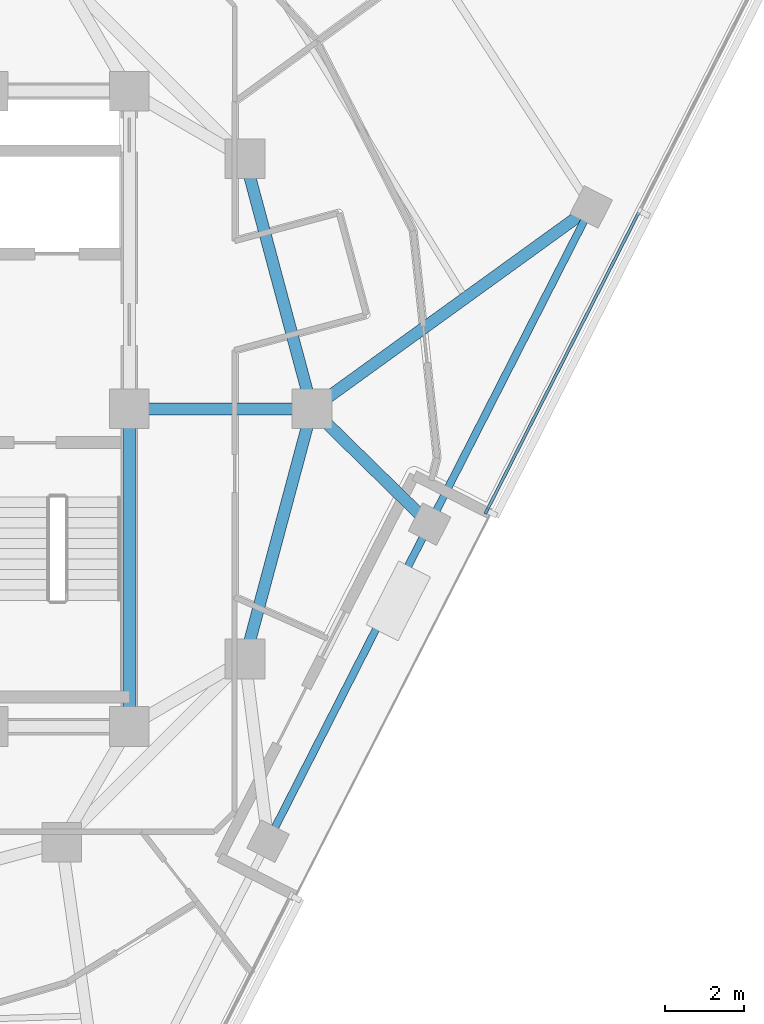
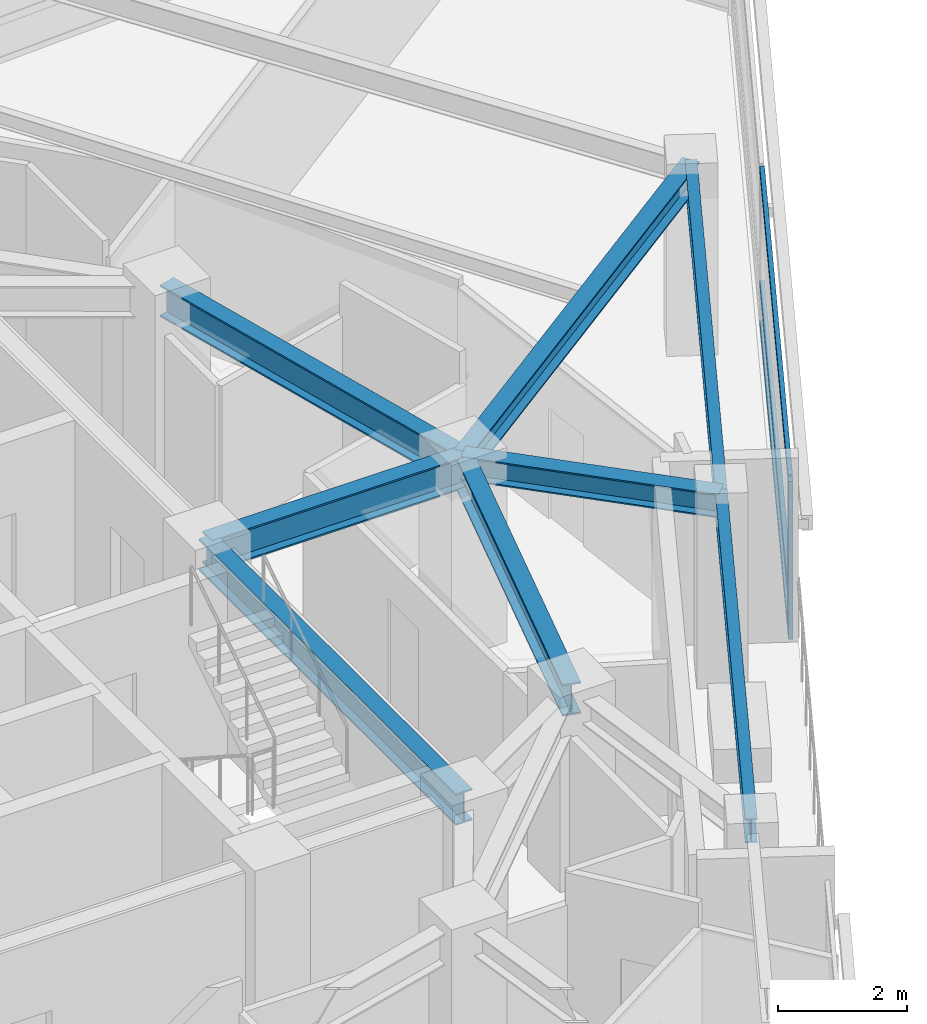
# One storey, part 4 of 15: 8 beams, 4 members, 1 element without a shape of its own.
"""IFC4 building model written with IfcOpenShell, lengths in metres."""

import ifcopenshell
import ifcopenshell.guid

model = None  # the IFC model being written
_history = None  # IfcOwnerHistory: only IFC2X3 demands one
_inside = {}  # id of a spatial element -> (the spatial element, [elements in it])
_under = {}  # id of a project, library or spatial element -> (it, [spatial elements below it])
_declared = {}  # id of a project -> (the project, [libraries it declares])
_typed = {}  # id of a type object -> (the type object, [elements of that type])
_made_of = {}  # id of a material, layer set ... -> (it, [elements and type objects made of it])


def new_model(schema):
    """Start an empty IFC model of exactly this schema.

    Asked for "IFC4X3", IfcOpenShell would pick the latest addendum, in which some entities
    have other attributes; the version numbers below select the first issue.
    IFC2X3 requires an IfcOwnerHistory on every rooted entity: one is made here for all.
    """
    global model, _history
    if schema == "IFC4X3":
        model = ifcopenshell.file(schema_version=(4, 3, 0, 0))
    else:
        model = ifcopenshell.file(schema=schema)
    _inside.clear()
    _under.clear()
    _declared.clear()
    _typed.clear()
    _made_of.clear()
    _history = None
    if model.schema == "IFC2X3":
        org = make("IfcOrganization", Name="unknown")
        user = make(
            "IfcPersonAndOrganization",
            ThePerson=make("IfcPerson", FamilyName="unknown"),
            TheOrganization=org,
        )
        app = make(
            "IfcApplication",
            ApplicationDeveloper=org,
            Version="unknown",
            ApplicationFullName="unknown",
            ApplicationIdentifier="unknown",
        )
        _history = make(
            "IfcOwnerHistory",
            OwningUser=user,
            OwningApplication=app,
            ChangeAction="ADDED",
            CreationDate=0,
        )
    return model


def make(cls, **values):
    """One entity of the class cls with the attributes given. An attribute that is None is left unset."""
    return model.create_entity(
        cls, **{name: value for name, value in values.items() if value is not None}
    )


def rooted(cls, **values):
    """An entity with a GlobalId (a new one), such as an element, a storey or a relation."""
    return make(cls, GlobalId=ifcopenshell.guid.new(), OwnerHistory=_history, **values)


def si_unit(unit_type, name, prefix=None):
    """IfcSIUnit, for example si_unit("LENGTHUNIT", "METRE", prefix="MILLI")."""
    return make("IfcSIUnit", UnitType=unit_type, Prefix=prefix, Name=name)


def assignment(units):
    """IfcUnitAssignment: the units of a project."""
    return None if units is None else make("IfcUnitAssignment", Units=units)


def point(xyz):
    """IfcCartesianPoint."""
    return None if xyz is None else make("IfcCartesianPoint", Coordinates=xyz)


def direction(xyz):
    """IfcDirection."""
    return None if xyz is None else make("IfcDirection", DirectionRatios=xyz)


def frame(location, z_axis=None, x_axis=None):
    """IfcAxis2Placement3D, a coordinate frame: its origin and axes. An axis left out is left unset."""
    return make(
        "IfcAxis2Placement3D",
        Location=point(location),
        Axis=direction(z_axis),
        RefDirection=direction(x_axis),
    )


def frame_2d(location, x_axis=None):
    """IfcAxis2Placement2D, a coordinate frame in the plane: its origin and x axis."""
    return make(
        "IfcAxis2Placement2D", Location=point(location), RefDirection=direction(x_axis)
    )


def origin():
    """The frame at (0, 0, 0) with its axes left unset."""
    return frame((0.0, 0.0, 0.0))


def origin_2d():
    """The frame at (0, 0) in the plane with its x axis left unset."""
    return frame_2d((0.0, 0.0))


def place(relative_to, where):
    """IfcLocalPlacement: puts the frame where relative to a parent placement (None: the world)."""
    return make(
        "IfcLocalPlacement", PlacementRelTo=relative_to, RelativePlacement=where
    )


def context(
    kind, dimensions, precision=None, world=None, true_north=None, identifier=None
):
    """IfcGeometricRepresentationContext, for example the 3D "Model" context."""
    return make(
        "IfcGeometricRepresentationContext",
        ContextIdentifier=identifier,
        ContextType=kind,
        CoordinateSpaceDimension=dimensions,
        Precision=precision,
        WorldCoordinateSystem=world,
        TrueNorth=true_north,
    )


def subcontext(parent, identifier, kind, view, scale=None):
    """IfcGeometricRepresentationSubContext, for example "Body" below "Model"."""
    return make(
        "IfcGeometricRepresentationSubContext",
        ContextIdentifier=identifier,
        ContextType=kind,
        ParentContext=parent,
        TargetScale=scale,
        TargetView=view,
    )


def project(units=None, contexts=None):
    """IfcProject with its units and contexts."""
    return rooted(
        "IfcProject",
        Name="project",
        RepresentationContexts=contexts,
        UnitsInContext=assignment(units),
    )


def spatial(cls, under=None, at=None, **own):
    """A site, building, storey or space (cls), placed at a placement, below another one or the project."""
    s = rooted(cls, ObjectPlacement=at, **own)
    if under is not None:
        _under.setdefault(under.id(), (under, []))[1].append(s)
    return s


def profile(cls, at=None, kind="AREA", **sizes):
    """A parametric profile (cls). Its sizes go by their IFC names, for example OverallWidth=200.0."""
    return make(cls, ProfileType=kind, Position=at, **sizes)


def rectangle(**sizes):
    """IfcRectangleProfileDef."""
    return profile("IfcRectangleProfileDef", **sizes)


def i_section(**sizes):
    """IfcIShapeProfileDef."""
    return profile("IfcIShapeProfileDef", **sizes)


def extrude(swept, where, along, depth):
    """IfcExtrudedAreaSolid: the profile swept, set in the frame where, extruded along a direction by depth."""
    return make(
        "IfcExtrudedAreaSolid",
        SweptArea=swept,
        Position=where,
        ExtrudedDirection=direction(along),
        Depth=depth,
    )


def shape(context_of_items, identifier, shape_type, items):
    """IfcShapeRepresentation: the items that make up one representation, for example the "Body"."""
    return make(
        "IfcShapeRepresentation",
        ContextOfItems=context_of_items,
        RepresentationIdentifier=identifier,
        RepresentationType=shape_type,
        Items=items,
    )


def material(Name=None, Category=None):
    """IfcMaterial."""
    return make("IfcMaterial", Name=Name, Category=Category)


def layer(
    of_material, thickness, ventilated=None, Name=None, Category=None, Priority=None
):
    """IfcMaterialLayer: one layer of a wall or slab, of a material (None: an air gap)."""
    return make(
        "IfcMaterialLayer",
        Material=of_material,
        LayerThickness=thickness,
        IsVentilated=ventilated,
        Name=Name,
        Category=Category,
        Priority=Priority,
    )


def layer_set(layers, Name=None):
    """IfcMaterialLayerSet."""
    return make("IfcMaterialLayerSet", MaterialLayers=layers, LayerSetName=Name)


def material_profile(
    of_material, cross_section, Name=None, Category=None, Priority=None
):
    """IfcMaterialProfile: a cross section and its material."""
    return make(
        "IfcMaterialProfile",
        Name=Name,
        Material=of_material,
        Profile=cross_section,
        Priority=Priority,
        Category=Category,
    )


def profile_set(profiles, Name=None, composite=None):
    """IfcMaterialProfileSet."""
    return make(
        "IfcMaterialProfileSet",
        Name=Name,
        MaterialProfiles=profiles,
        CompositeProfile=composite,
    )


def made_of(thing, what):
    """Note that an element or type object is made of a material, layer set ...; save() writes the relation."""
    if what is not None:
        _made_of.setdefault(what.id(), (what, []))[1].append(thing)
    return thing


def type_object(cls, material=None, **own):
    """A type object (cls), such as IfcWallType, which elements share."""
    return made_of(rooted(cls, **own), material)


def element(
    cls,
    number,
    at=None,
    inside=None,
    cuts=None,
    type_object=None,
    material=None,
    context=None,
    identifier="Body",
    shape_type=None,
    held_by="IfcProductDefinitionShape",
    body=None,
    shapes=None,
    **own,
):
    """One element of the class cls, such as IfcWall. Its Tag is "e" and its number.

    at: its placement. inside: the storey or other place that contains it. cuts: it is an
    opening in that element (IfcRelVoidsElement). A single representation is given by context,
    identifier, shape_type and body (its items); several are given by shapes. held_by: the class
    of the entity that holds the representations. save() writes the other relations.
    """
    e = rooted(cls, Tag="e%d" % number, ObjectPlacement=at, **own)
    if body is not None:
        shapes = [shape(context, identifier, shape_type, body)]
    if shapes is not None:
        e.Representation = make(held_by, Representations=shapes)
    if inside is not None:
        _inside.setdefault(inside.id(), (inside, []))[1].append(e)
    if cuts is not None:
        rooted(
            "IfcRelVoidsElement", RelatingBuildingElement=cuts, RelatedOpeningElement=e
        )
    if type_object is not None:
        _typed.setdefault(type_object.id(), (type_object, []))[1].append(e)
    return made_of(e, material)


def aggregate(whole, parts):
    """IfcRelAggregates: a whole, such as a stair, and the parts it consists of."""
    return rooted("IfcRelAggregates", RelatingObject=whole, RelatedObjects=parts)


def save(model, path):
    """Write the relations noted so far, then the file.

    IfcRelAggregates (storeys below a building ...), IfcRelContainedInSpatialStructure (elements
    in a storey), IfcRelDefinesByType, IfcRelAssociatesMaterial and IfcRelDeclares: one each for
    every whole, place, type object, material and project.
    """
    for whole, parts in _under.values():
        aggregate(whole, parts)
    for where, things in _inside.values():
        rooted(
            "IfcRelContainedInSpatialStructure",
            RelatedElements=things,
            RelatingStructure=where,
        )
    for kind, things in _typed.values():
        rooted("IfcRelDefinesByType", RelatedObjects=things, RelatingType=kind)
    for what, things in _made_of.values():
        rooted("IfcRelAssociatesMaterial", RelatedObjects=things, RelatingMaterial=what)
    for by, libraries in _declared.values():
        rooted("IfcRelDeclares", RelatingContext=by, RelatedDefinitions=libraries)
    model.write(path)


model = new_model("IFC4")

# Units and contexts
model_context = context("Model", 3, precision=1e-05, world=origin(), true_north=direction((0.0, 1.0)))
body_context = subcontext(model_context, "Body", "Model", "MODEL_VIEW")
ifc_project = project(units=[si_unit("LENGTHUNIT", "METRE"), si_unit("AREAUNIT", "SQUARE_METRE"), si_unit("VOLUMEUNIT", "CUBIC_METRE"), si_unit("PLANEANGLEUNIT", "RADIAN"), si_unit("MASSUNIT", "GRAM", prefix="KILO")], contexts=[model_context])

# Site, building, storey
site_placement = place(None, origin())
site = spatial("IfcSite", under=ifc_project, at=site_placement, CompositionType="ELEMENT")
building_placement = place(site_placement, origin())
building = spatial("IfcBuilding", under=site, at=building_placement, Name="Terralouvre Media Tower", CompositionType="ELEMENT")
storey_placement = place(building_placement, frame((0.0, 0.0, 252.199951171875)))
storey = spatial("IfcBuildingStorey", under=building, at=storey_placement, Name="L65", CompositionType="ELEMENT", Elevation=252.199951171875)

# Curtain wall, members
ifc_material_1 = material(Name="Low-iron laminated double glazing with solar-control coating", Category="glass")
ifc_layer = layer(ifc_material_1, 0.1650390625, Name="Upper Executive Tower Curtain Wall CW-05")
ifc_layer_set = layer_set([ifc_layer], Name="Low-iron laminated double glazing with solar-control coating")
curtain_wall_type = type_object("IfcCurtainWallType", Name="Upper Executive Tower Curtain Wall CW-05", PredefinedType="NOTDEFINED", material=ifc_layer_set)
curtain_wall_placement = place(storey_placement, origin())
curtain_wall = element("IfcCurtainWall", 1, at=curtain_wall_placement, inside=storey, type_object=curtain_wall_type, Name="L65 Right Flank Curtain Wall F0", PredefinedType="NOTDEFINED")
ifc_material_2 = material(Name="Anodised extruded aluminium 6063-T6", Category="aluminium")
ifc_material_profile_1 = material_profile(ifc_material_2, rectangle(XDim=0.074951171875, YDim=0.14990234375, at=origin_2d()), Name="ALU 75x150")
ifc_profile_set_1 = profile_set([ifc_material_profile_1], Name="Anodised extruded aluminium 6063-T6")
member_type_1 = type_object("IfcMemberType", Name="Curtain-Wall Horizontal Transom TR-150", PredefinedType="USERDEFINED", material=ifc_profile_set_1)
member_1_placement = place(storey_placement, frame((17.020263671875, -2.527587890625, 0.03759765625), z_axis=(0.453988569409, 0.891007507738, 0.0), x_axis=(-0.891007507738, 0.453988569409, 0.0)))
member_1 = element("IfcMember", 2, at=member_1_placement, type_object=member_type_1, Name="CW-05 transom 1.1", ObjectType="TRANSOM", PredefinedType="USERDEFINED", context=body_context, shape_type="SweptSolid", body=[
    extrude(rectangle(XDim=0.074951171875, YDim=0.14990234375, at=origin_2d()), origin(), (0.0, 0.0, 1.0), 8.387451171875),
])
member_2_placement = place(storey_placement, frame((17.020263671875, -2.527587890625, 0.800048828125), z_axis=(0.453988569409, 0.891007507738, 0.0), x_axis=(-0.891007507738, 0.453988569409, 0.0)))
member_2 = element("IfcMember", 3, at=member_2_placement, type_object=member_type_1, Name="CW-05 transom 1.2", ObjectType="TRANSOM", PredefinedType="USERDEFINED", context=body_context, shape_type="SweptSolid", body=[
    extrude(rectangle(XDim=0.074951171875, YDim=0.14990234375, at=origin_2d()), origin(), (0.0, 0.0, 1.0), 8.387451171875),
])
member_3_placement = place(storey_placement, frame((17.020263671875, -2.527587890625, 2.962646484375), z_axis=(0.453988569409, 0.891007507738, 0.0), x_axis=(-0.891007507738, 0.453988569409, 0.0)))
member_3 = element("IfcMember", 4, at=member_3_placement, type_object=member_type_1, Name="CW-05 transom 1.3", ObjectType="TRANSOM", PredefinedType="USERDEFINED", context=body_context, shape_type="SweptSolid", body=[
    extrude(rectangle(XDim=0.074951171875, YDim=0.14990234375, at=origin_2d()), origin(), (0.0, 0.0, 1.0), 8.387451171875),
])
ifc_material_3 = material(Name="Anodised extruded aluminium 6063-T6", Category="aluminium")
ifc_material_profile_2 = material_profile(ifc_material_3, rectangle(XDim=0.074951171875, YDim=0.179931640625, at=origin_2d()), Name="ALU 75x180")
ifc_profile_set_2 = profile_set([ifc_material_profile_2], Name="Anodised extruded aluminium 6063-T6")
member_type_2 = type_object("IfcMemberType", Name="Curtain-Wall Vertical Mullion ML-180", PredefinedType="MULLION", material=ifc_profile_set_2)
member_4_placement = place(storey_placement, frame((17.003173828125, -2.56103515625, 0.0), z_axis=(0.0, 0.0, 1.0), x_axis=(-0.891006118157, 0.453991296619, 0.0)))
member_4 = element("IfcMember", 5, at=member_4_placement, type_object=member_type_2, Name="CW-05 mullion 1", PredefinedType="MULLION", context=body_context, shape_type="SweptSolid", body=[
    extrude(rectangle(XDim=0.074951171875, YDim=0.179931640625, at=origin_2d()), origin(), (0.0, 0.0, 1.0), 3.0),
])
aggregate(curtain_wall, [member_4, member_1, member_2, member_3])

# Beams
ifc_material_4 = material(Name="Structural steel S355J2", Category="steel")
ifc_material_profile_3 = material_profile(ifc_material_4, i_section(OverallWidth=0.18994140625, OverallDepth=0.449951171875, WebThickness=0.009521484375, FlangeThickness=0.0146484375, at=origin_2d()), Name="IPE 450")
ifc_profile_set_3 = profile_set([ifc_material_profile_3], Name="Structural steel S355J2")
beam_type_1 = type_object("IfcBeamType", Name="Perimeter Spandrel Beam SPB-450 (IPE 450)", PredefinedType="SPANDREL", material=ifc_profile_set_3)
for number, where, z_axis, x_axis, name in (
    (6, (11.493896484375, -10.884521484375, 3.275146484375), (0.454001700669, 0.891000816941, 0.0), (-0.891000816941, 0.454001700669, 0.0), "L65 Framing Beam BM-L65-PR05"),
    (7, (15.561767578125, -2.901123046875, 3.275146484375), (0.453980068772, 0.891011838955, 0.0), (-0.891011838955, 0.453980068772, 0.0), "L65 Framing Beam BM-L65-PR06"),
):
    element("IfcBeam", number, at=place(storey_placement, frame(where, z_axis=z_axis, x_axis=x_axis)), inside=storey, type_object=beam_type_1, Name=name, PredefinedType="SPANDREL", context=body_context, shape_type="SweptSolid", body=[
        extrude(i_section(OverallWidth=0.18994140625, OverallDepth=0.449951171875, WebThickness=0.009521484375, FlangeThickness=0.0146484375, at=origin_2d()), origin(), (0.0, 0.0, 1.0), 8.9599609375),
    ])
ifc_material_5 = material(Name="Structural steel S355J2", Category="steel")
ifc_material_profile_4 = material_profile(ifc_material_5, i_section(OverallWidth=0.300048828125, OverallDepth=0.449951171875, WebThickness=0.013916015625, FlangeThickness=0.02587890625, at=origin_2d()), Name="HEB 450")
ifc_profile_set_4 = profile_set([ifc_material_profile_4], Name="Structural steel S355J2")
beam_type_2 = type_object("IfcBeamType", Name="Primary Floor Girder B-HEB450 (HEB 450)", PredefinedType="BEAM", material=ifc_profile_set_4)
beam_1_placement = place(storey_placement, frame((12.60009765625, 0.0, 3.275146484375), z_axis=(0.71437119745, -0.699766955675, 0.0), x_axis=(0.699766955675, 0.71437119745, 0.0)))
element("IfcBeam", 8, at=beam_1_placement, inside=storey, type_object=beam_type_2, Name="L65 Framing Beam BM-L65-RD06", PredefinedType="BEAM", context=body_context, shape_type="SweptSolid", body=[
    extrude(i_section(OverallWidth=0.300048828125, OverallDepth=0.449951171875, WebThickness=0.013916015625, FlangeThickness=0.02587890625, at=origin_2d()), origin(), (0.0, 0.0, 1.0), 4.145751953125),
])
beam_2_placement = place(storey_placement, frame((12.60009765625, 0.0, 3.275146484375), z_axis=(0.810374824206, 0.585911805901, 0.0), x_axis=(-0.585911805901, 0.810374824206, 0.0)))
element("IfcBeam", 9, at=beam_2_placement, inside=storey, type_object=beam_type_2, Name="L65 Framing Beam BM-L65-RD07", PredefinedType="BEAM", context=body_context, shape_type="SweptSolid", body=[
    extrude(i_section(OverallWidth=0.300048828125, OverallDepth=0.449951171875, WebThickness=0.013916015625, FlangeThickness=0.02587890625, at=origin_2d()), origin(), (0.0, 0.0, 1.0), 8.674072265625),
])
ifc_material_6 = material(Name="Structural steel S460M", Category="steel")
ifc_material_profile_5 = material_profile(ifc_material_6, i_section(OverallWidth=0.300048828125, OverallDepth=0.60009765625, WebThickness=0.015380859375, FlangeThickness=0.030029296875, at=origin_2d()), Name="HEB 600")
ifc_profile_set_5 = profile_set([ifc_material_profile_5], Name="Structural steel S460M")
beam_type_3 = type_object("IfcBeamType", Name="Primary Floor Girder B-HEB600 (HEB 600)", PredefinedType="BEAM", material=ifc_profile_set_5)
beam_3_placement = place(storey_placement, frame((8.0, -8.0, 3.199951171875), z_axis=(0.0, 1.0, 0.0), x_axis=(-1.0, 0.0, 0.0)))
element("IfcBeam", 10, at=beam_3_placement, inside=storey, type_object=beam_type_3, Name="L65 Framing Beam BM-L65-CPR04", PredefinedType="BEAM", context=body_context, shape_type="SweptSolid", body=[
    extrude(i_section(OverallWidth=0.300048828125, OverallDepth=0.60009765625, WebThickness=0.015380859375, FlangeThickness=0.030029296875, at=origin_2d()), origin(), (0.0, 0.0, 1.0), 8.0),
])
for number, where, z_axis, x_axis, name in (
    (11, (10.911865234375, -6.300048828125, 3.199951171875), (0.258838989821, 0.965920481897, 0.0), (-0.965920481897, 0.258838989821, 0.0), "L65 Framing Beam BM-L65-MR05"),
    (12, (12.60009765625, 0.0, 3.199951171875), (-0.258838989821, 0.965920481897, 0.0), (-0.965920481897, -0.258838989821, 0.0), "L65 Framing Beam BM-L65-MR06"),
):
    element("IfcBeam", number, at=place(storey_placement, frame(where, z_axis=z_axis, x_axis=x_axis)), inside=storey, type_object=beam_type_3, Name=name, PredefinedType="BEAM", context=body_context, shape_type="SweptSolid", body=[
        extrude(i_section(OverallWidth=0.300048828125, OverallDepth=0.60009765625, WebThickness=0.015380859375, FlangeThickness=0.030029296875, at=origin_2d()), origin(), (0.0, 0.0, 1.0), 6.522216796875),
    ])
beam_4_placement = place(storey_placement, frame((8.0, 0.0, 3.199951171875), z_axis=(1.0, 0.0, 0.0), x_axis=(0.0, 1.0, 0.0)))
element("IfcBeam", 13, at=beam_4_placement, inside=storey, type_object=beam_type_3, Name="L65 Framing Beam BM-L65-CM06", PredefinedType="BEAM", context=body_context, shape_type="SweptSolid", body=[
    extrude(i_section(OverallWidth=0.300048828125, OverallDepth=0.60009765625, WebThickness=0.015380859375, FlangeThickness=0.030029296875, at=origin_2d()), origin(), (0.0, 0.0, 1.0), 4.60009765625),
])

save(model, "model.ifc")
